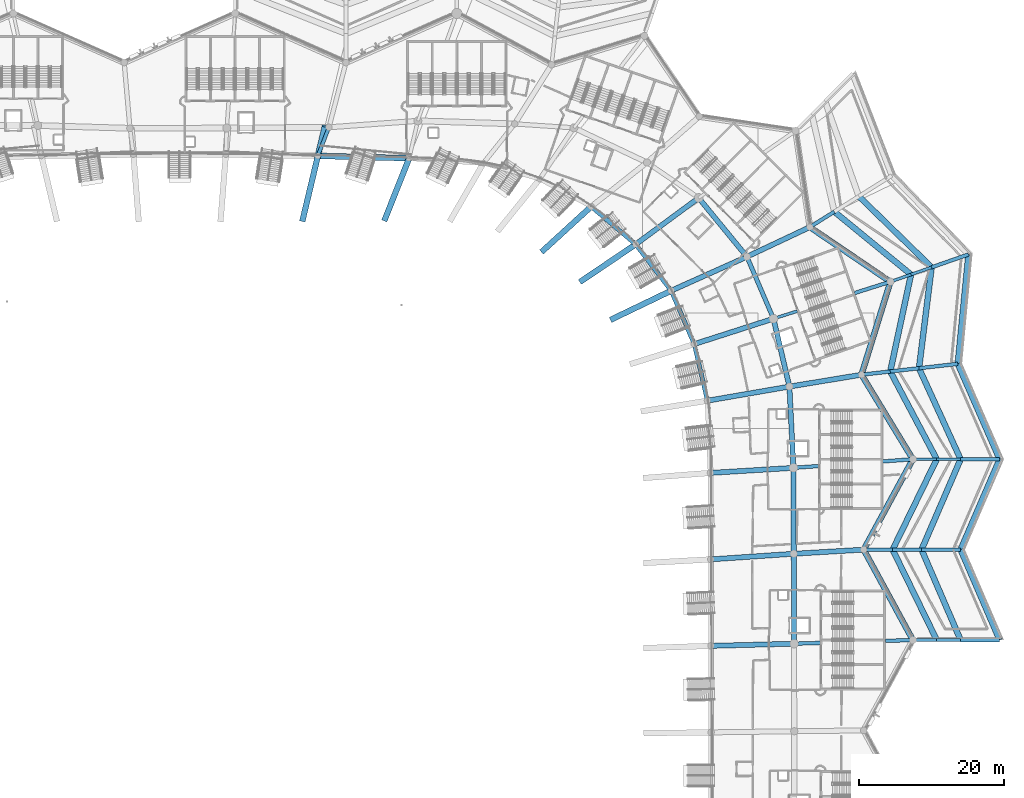
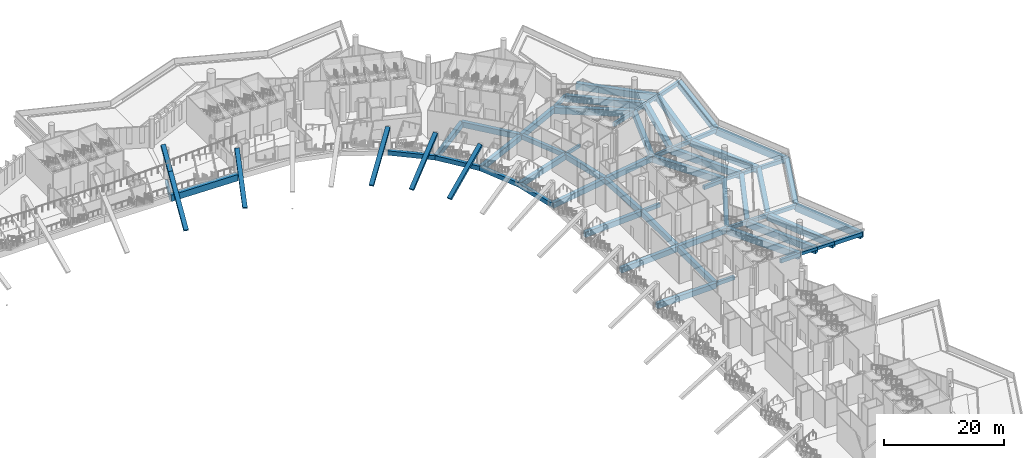
# One storey, part 19 of 173: 69 beams.
"""IFC4 building model written with IfcOpenShell, lengths in metres."""

from ifc_helpers import new_model, si_unit, direction, frame, origin, origin_2d, place, context, subcontext, project, spatial, rectangle, extrude, material, material_profile, profile_set, type_object, element, save


model = new_model("IFC4")

# Units and contexts
model_context = context("Model", 3, precision=1e-05, world=origin(), true_north=direction((0.0, 1.0)))
body_context = subcontext(model_context, "Body", "Model", "MODEL_VIEW")
ifc_project = project(units=[si_unit("LENGTHUNIT", "METRE"), si_unit("AREAUNIT", "SQUARE_METRE"), si_unit("VOLUMEUNIT", "CUBIC_METRE"), si_unit("PLANEANGLEUNIT", "RADIAN"), si_unit("MASSUNIT", "GRAM", prefix="KILO")], contexts=[model_context])

# Site, building, storey
site_placement = place(None, origin())
site = spatial("IfcSite", under=ifc_project, at=site_placement, CompositionType="ELEMENT")
building_placement = place(site_placement, origin())
building = spatial("IfcBuilding", under=site, at=building_placement, Name="Meseta Stadium", CompositionType="ELEMENT")
storey_placement = place(building_placement, frame((0.0, 0.0, 18.0)))
storey = spatial("IfcBuildingStorey", under=building, at=storey_placement, Name="L03", CompositionType="ELEMENT", Elevation=18.0)

# Beams
ifc_material_1 = material(Name="Concrete C40/50", Category="concrete")
ifc_material_profile_1 = material_profile(ifc_material_1, rectangle(XDim=0.39990234375, YDim=0.60009765625, at=origin_2d()), Name="RC 400x600")
ifc_profile_set_1 = profile_set([ifc_material_profile_1], Name="Concrete C40/50")
beam_type_1 = type_object("IfcBeamType", Name="RC beam 400x600", PredefinedType="BEAM", material=ifc_profile_set_1)
beam_1_placement = place(storey_placement, frame((82.119873046875, 63.191162109375, -0.64990234375), z_axis=(0.953578389502, 0.301144907105, 0.0), x_axis=(-0.301144907105, 0.953578389502, 0.0)))
element("IfcBeam", 1, at=beam_1_placement, inside=storey, type_object=beam_type_1, Name="L03 radial beam frame 10 line P to R", PredefinedType="BEAM", context=body_context, shape_type="SweptSolid", body=[
    extrude(rectangle(XDim=0.39990234375, YDim=0.60009765625, at=origin_2d()), origin(), (0.0, 0.0, 1.0), 3.451904296875),
])
for number, where, z_axis, x_axis, name in (
    (2, (101.39990234375, 18.75, -0.699951171875), (1.0, 0.0, 0.0), (0.0, 1.0, 0.0), "L03 radial beam frame 6 line R to M"),
    (3, (104.699951171875, 18.75, -0.699951171875), (1.0, 0.0, 0.0), (0.0, 1.0, 0.0), "L03 radial beam frame 6 line M to Q"),
    (4, (101.39990234375, 43.75, -0.699951171875), (1.0, 0.0, 0.0), (0.0, 1.0, 0.0), "L03 radial beam frame 8 line R to M"),
    (5, (104.699951171875, 43.75, -0.699951171875), (1.0, 0.0, 0.0), (0.0, 1.0, 0.0), "L03 radial beam frame 8 line M to Q"),
):
    element("IfcBeam", number, at=place(storey_placement, frame(where, z_axis=z_axis, x_axis=x_axis)), inside=storey, type_object=beam_type_1, Name=name, PredefinedType="BEAM", context=body_context, shape_type="SweptSolid", body=[
        extrude(rectangle(XDim=0.39990234375, YDim=0.60009765625, at=origin_2d()), origin(), (0.0, 0.0, 1.0), 3.300048828125),
    ])
beam_2_placement = place(storey_placement, frame((98.291015625, 68.297607421875, -0.699951171875), z_axis=(0.943904999317, 0.33021712897, 0.0), x_axis=(-0.33021712897, 0.943904999317, 0.0)))
element("IfcBeam", 6, at=beam_2_placement, inside=storey, type_object=beam_type_1, Name="L03 radial beam frame 10 line R to M", PredefinedType="BEAM", context=body_context, shape_type="SweptSolid", body=[
    extrude(rectangle(XDim=0.39990234375, YDim=0.60009765625, at=origin_2d()), origin(), (0.0, 0.0, 1.0), 3.018798828125),
])
beam_3_placement = place(storey_placement, frame((101.140380859375, 69.29443359375, -0.699951171875), z_axis=(0.943888610281, 0.330263972274, 0.0), x_axis=(-0.330263972274, 0.943888610281, 0.0)))
element("IfcBeam", 7, at=beam_3_placement, inside=storey, type_object=beam_type_1, Name="L03 radial beam frame 10 line M to Q", PredefinedType="BEAM", context=body_context, shape_type="SweptSolid", body=[
    extrude(rectangle(XDim=0.39990234375, YDim=0.60009765625, at=origin_2d()), origin(), (0.0, 0.0, 1.0), 3.01904296875),
])
ifc_material_2 = material(Name="Concrete C40/50", Category="concrete")
ifc_material_profile_2 = material_profile(ifc_material_2, rectangle(XDim=0.5, YDim=0.75, at=origin_2d()), Name="RC 500x750")
ifc_profile_set_2 = profile_set([ifc_material_profile_2], Name="Concrete C40/50")
beam_type_2 = type_object("IfcBeamType", Name="RC beam 500x750", PredefinedType="BEAM", material=ifc_profile_set_2)
beam_4_placement = place(storey_placement, frame((84.978515625, 18.24365234375, -0.72509765625), z_axis=(0.999525783299, 0.030792994672, 0.0), x_axis=(-0.030792994672, 0.999525783299, 0.0)))
element("IfcBeam", 8, at=beam_4_placement, inside=storey, type_object=beam_type_2, Name="L03 radial beam frame 6 line P to R", PredefinedType="BEAM", context=body_context, shape_type="SweptSolid", body=[
    extrude(rectangle(XDim=0.5, YDim=0.75, at=origin_2d()), origin(), (0.0, 0.0, 1.0), 3.623291015625),
])
beam_5_placement = place(storey_placement, frame((97.60009765625, 18.6328125, -0.72509765625), z_axis=(0.99952477381, 0.030825744759, 0.0), x_axis=(-0.030825744759, 0.99952477381, 0.0)))
element("IfcBeam", 9, at=beam_5_placement, inside=storey, type_object=beam_type_2, Name="L03 radial beam frame 6 line P to R", PredefinedType="BEAM", context=body_context, shape_type="SweptSolid", body=[
    extrude(rectangle(XDim=0.5, YDim=0.75, at=origin_2d()), origin(), (0.0, 0.0, 1.0), 3.801513671875),
])
beam_6_placement = place(storey_placement, frame((84.884033203125, 42.5615234375, -0.72509765625), z_axis=(0.997422358581, 0.071754014547, 0.0), x_axis=(-0.071754014547, 0.997422358581, 0.0)))
element("IfcBeam", 10, at=beam_6_placement, inside=storey, type_object=beam_type_2, Name="L03 radial beam frame 8 line P to R", PredefinedType="BEAM", context=body_context, shape_type="SweptSolid", body=[
    extrude(rectangle(XDim=0.5, YDim=0.75, at=origin_2d()), origin(), (0.0, 0.0, 1.0), 3.52490234375),
])
beam_7_placement = place(storey_placement, frame((97.199951171875, 43.44775390625, -0.72509765625), z_axis=(0.997420591967, 0.071778567276, 0.0), x_axis=(-0.071778567276, 0.997420591967, 0.0)))
element("IfcBeam", 11, at=beam_7_placement, inside=storey, type_object=beam_type_2, Name="L03 radial beam frame 8 line P to R", PredefinedType="BEAM", context=body_context, shape_type="SweptSolid", body=[
    extrude(rectangle(XDim=0.5, YDim=0.75, at=origin_2d()), origin(), (0.0, 0.0, 1.0), 4.210693359375),
])
beam_8_placement = place(storey_placement, frame((93.330078125, 66.73095703125, -0.72509765625), z_axis=(0.953580537384, 0.301138105728, 0.0), x_axis=(-0.301138105728, 0.953580537384, 0.0)))
element("IfcBeam", 12, at=beam_8_placement, inside=storey, type_object=beam_type_2, Name="L03 radial beam frame 10 line P to R", PredefinedType="BEAM", context=body_context, shape_type="SweptSolid", body=[
    extrude(rectangle(XDim=0.5, YDim=0.75, at=origin_2d()), origin(), (0.0, 0.0, 1.0), 5.202392578125),
])
beam_9_placement = place(storey_placement, frame((19.11865234375, 85.6982421875, -0.72509765625), z_axis=(0.360763299369, 0.932657408606, 0.0), x_axis=(-0.932657408606, 0.360763299369, 0.0)))
element("IfcBeam", 13, at=beam_9_placement, inside=storey, type_object=beam_type_2, Name="L03 radial beam frame 17 line E to P", PredefinedType="BEAM", context=body_context, shape_type="SweptSolid", body=[
    extrude(rectangle(XDim=0.5, YDim=0.75, at=origin_2d()), origin(), (0.0, 0.0, 1.0), 4.243896484375),
])
beam_10_placement = place(storey_placement, frame((108.0, 18.75, -0.77490234375), z_axis=(1.0, 0.0, 0.0), x_axis=(0.0, 1.0, 0.0)))
element("IfcBeam", 14, at=beam_10_placement, inside=storey, type_object=beam_type_2, Name="L03 radial beam frame 6 line Q to O", PredefinedType="BEAM", context=body_context, shape_type="SweptSolid", body=[
    extrude(rectangle(XDim=0.5, YDim=0.75, at=origin_2d()), origin(), (0.0, 0.0, 1.0), 5.39990234375),
])
for number, where, z_axis, x_axis, name in (
    (15, (94.60009765625, 31.25, -0.77490234375), (1.0, 0.0, 0.0), (0.0, 1.0, 0.0), "L03 radial beam frame 7 line R to M"),
    (16, (98.60009765625, 31.25, -0.77490234375), (1.0, 0.0, 0.0), (0.0, 1.0, 0.0), "L03 radial beam frame 7 line M to Q"),
):
    element("IfcBeam", number, at=place(storey_placement, frame(where, z_axis=z_axis, x_axis=x_axis)), inside=storey, type_object=beam_type_2, Name=name, PredefinedType="BEAM", context=body_context, shape_type="SweptSolid", body=[
        extrude(rectangle(XDim=0.5, YDim=0.75, at=origin_2d()), origin(), (0.0, 0.0, 1.0), 4.0),
    ])
for number, where, z_axis, x_axis, name in (
    (17, (102.60009765625, 31.25, -0.77490234375), (1.0, 0.0, 0.0), (0.0, 1.0, 0.0), "L03 radial beam frame 7 line Q to O"),
    (18, (108.0, 43.75, -0.77490234375), (1.0, 0.0, 0.0), (0.0, 1.0, 0.0), "L03 radial beam frame 8 line Q to O"),
):
    element("IfcBeam", number, at=place(storey_placement, frame(where, z_axis=z_axis, x_axis=x_axis)), inside=storey, type_object=beam_type_2, Name=name, PredefinedType="BEAM", context=body_context, shape_type="SweptSolid", body=[
        extrude(rectangle(XDim=0.5, YDim=0.75, at=origin_2d()), origin(), (0.0, 0.0, 1.0), 5.39990234375),
    ])
for number, where, z_axis, x_axis, name in (
    (19, (94.29443359375, 55.44140625, -0.77490234375), (0.993708325891, 0.111998942203, 0.0), (-0.111998942203, 0.993708325891, 0.0), "L03 radial beam frame 9 line R to M"),
    (20, (98.269287109375, 55.889404296875, -0.77490234375), (0.993715116939, 0.111938672346, 0.0), (-0.111938672346, 0.993715116939, 0.0), "L03 radial beam frame 9 line M to Q"),
):
    element("IfcBeam", number, at=place(storey_placement, frame(where, z_axis=z_axis, x_axis=x_axis)), inside=storey, type_object=beam_type_2, Name=name, PredefinedType="BEAM", context=body_context, shape_type="SweptSolid", body=[
        extrude(rectangle(XDim=0.5, YDim=0.75, at=origin_2d()), origin(), (0.0, 0.0, 1.0), 4.0),
    ])
for number, where, z_axis, x_axis, name in (
    (21, (102.244140625, 56.337158203125, -0.77490234375), (0.993709385305, 0.111989542172, 0.0), (-0.111989542172, 0.993709385305, 0.0), "L03 radial beam frame 9 line Q to O"),
    (22, (103.989990234375, 70.29150390625, -0.77490234375), (0.943871747737, 0.330312161181, 0.0), (-0.330312161181, 0.943871747737, 0.0), "L03 radial beam frame 10 line Q to O"),
):
    element("IfcBeam", number, at=place(storey_placement, frame(where, z_axis=z_axis, x_axis=x_axis)), inside=storey, type_object=beam_type_2, Name=name, PredefinedType="BEAM", context=body_context, shape_type="SweptSolid", body=[
        extrude(rectangle(XDim=0.5, YDim=0.75, at=origin_2d()), origin(), (0.0, 0.0, 1.0), 5.39990234375),
    ])
beam_11_placement = place(storey_placement, frame((87.15087890625, 75.856689453125, -0.77490234375), z_axis=(0.846706472046, 0.532060288122, 0.0), x_axis=(-0.532060288122, 0.846706472046, 0.0)))
element("IfcBeam", 23, at=beam_11_placement, inside=storey, type_object=beam_type_2, Name="L03 radial beam frame 11 line R to M", PredefinedType="BEAM", context=body_context, shape_type="SweptSolid", body=[
    extrude(rectangle(XDim=0.5, YDim=0.75, at=origin_2d()), origin(), (0.0, 0.0, 1.0), 3.999755859375),
])
ifc_material_3 = material(Name="Concrete C40/50", Category="concrete")
ifc_material_profile_3 = material_profile(ifc_material_3, rectangle(XDim=0.60009765625, YDim=0.89990234375, at=origin_2d()), Name="RC 600x900")
ifc_profile_set_3 = profile_set([ifc_material_profile_3], Name="Concrete C40/50")
beam_type_3 = type_object("IfcBeamType", Name="RC beam 600x900", PredefinedType="BEAM", material=ifc_profile_set_3)
beam_12_placement = place(storey_placement, frame((72.9921875, 51.84716796875, -0.800048828125), z_axis=(-0.226697740265, 0.973965160855, 0.0), x_axis=(-0.973965160855, -0.226697740265, 0.0)))
element("IfcBeam", 24, at=beam_12_placement, inside=storey, type_object=beam_type_3, Name="L03 ring beam frame 9 line E", PredefinedType="BEAM", context=body_context, shape_type="SweptSolid", body=[
    extrude(rectangle(XDim=0.60009765625, YDim=0.89990234375, at=origin_2d()), origin(), (0.0, 0.0, 1.0), 8.039306640625),
])
beam_13_placement = place(storey_placement, frame((71.169677734375, 59.67724609375, -0.800048828125), z_axis=(-0.397502661884, 0.91760102103, 0.0), x_axis=(-0.91760102103, -0.397502661884, 0.0)))
element("IfcBeam", 25, at=beam_13_placement, inside=storey, type_object=beam_type_3, Name="L03 ring beam frame 10 line E", PredefinedType="BEAM", context=body_context, shape_type="SweptSolid", body=[
    extrude(rectangle(XDim=0.60009765625, YDim=0.89990234375, at=origin_2d()), origin(), (0.0, 0.0, 1.0), 8.04345703125),
])
beam_14_placement = place(storey_placement, frame((82.119873046875, 63.191162109375, -0.800048828125), z_axis=(-0.394270200779, 0.918994564063, 0.0), x_axis=(-0.918994564063, -0.394270200779, 0.0)))
element("IfcBeam", 26, at=beam_14_placement, inside=storey, type_object=beam_type_3, Name="L03 ring beam frame 10 line P", PredefinedType="BEAM", context=body_context, shape_type="SweptSolid", body=[
    extrude(rectangle(XDim=0.60009765625, YDim=0.89990234375, at=origin_2d()), origin(), (0.0, 0.0, 1.0), 9.31982421875),
])
beam_15_placement = place(storey_placement, frame((67.972412109375, 67.057861328125, -0.800048828125), z_axis=(-0.607521948786, 0.794302890428, 0.0), x_axis=(-0.794302890428, -0.607521948786, 0.0)))
element("IfcBeam", 27, at=beam_15_placement, inside=storey, type_object=beam_type_3, Name="L03 ring beam frame 11 line E", PredefinedType="BEAM", context=body_context, shape_type="SweptSolid", body=[
    extrude(rectangle(XDim=0.60009765625, YDim=0.89990234375, at=origin_2d()), origin(), (0.0, 0.0, 1.0), 8.072509765625),
])
beam_16_placement = place(storey_placement, frame((63.068115234375, 73.469970703125, -0.800048828125), z_axis=(-0.762201166724, 0.647340236231, 0.0), x_axis=(-0.647340236231, -0.762201166724, 0.0)))
element("IfcBeam", 28, at=beam_16_placement, inside=storey, type_object=beam_type_3, Name="L03 ring beam frame 12 line E", PredefinedType="BEAM", context=body_context, shape_type="SweptSolid", body=[
    extrude(rectangle(XDim=0.60009765625, YDim=0.89990234375, at=origin_2d()), origin(), (0.0, 0.0, 1.0), 8.07275390625),
])
ifc_material_4 = material(Name="Concrete C40/50", Category="concrete")
ifc_material_profile_4 = material_profile(ifc_material_4, rectangle(XDim=0.699951171875, YDim=1.10009765625, at=origin_2d()), Name="RC 700x1100")
ifc_profile_set_4 = profile_set([ifc_material_profile_4], Name="Concrete C40/50")
beam_type_4 = type_object("IfcBeamType", Name="RC beam 700x1100", PredefinedType="BEAM", material=ifc_profile_set_4)
beam_17_placement = place(storey_placement, frame((84.978515625, 18.24365234375, -0.89990234375), z_axis=(-0.004279001378, 0.999990845032, 0.0), x_axis=(-0.999990845032, -0.004279001378, 0.0)))
element("IfcBeam", 29, at=beam_17_placement, inside=storey, type_object=beam_type_4, Name="L03 ring beam frame 6 line P", PredefinedType="BEAM", context=body_context, shape_type="SweptSolid", body=[
    extrude(rectangle(XDim=0.699951171875, YDim=1.10009765625, at=origin_2d()), origin(), (0.0, 0.0, 1.0), 12.43798828125),
])
beam_18_placement = place(storey_placement, frame((84.92529296875, 30.681640625, -0.89990234375), z_axis=(-0.003473057557, 0.999993968917, 0.0), x_axis=(-0.999993968917, -0.003473057557, 0.0)))
element("IfcBeam", 30, at=beam_18_placement, inside=storey, type_object=beam_type_4, Name="L03 ring beam frame 7 line P", PredefinedType="BEAM", context=body_context, shape_type="SweptSolid", body=[
    extrude(rectangle(XDim=0.699951171875, YDim=1.10009765625, at=origin_2d()), origin(), (0.0, 0.0, 1.0), 11.8798828125),
])
beam_19_placement = place(storey_placement, frame((84.884033203125, 42.5615234375, -0.89990234375), z_axis=(-0.049657379323, 0.998766311346, 0.0), x_axis=(-0.998766311346, -0.049657379323, 0.0)))
element("IfcBeam", 31, at=beam_19_placement, inside=storey, type_object=beam_type_4, Name="L03 ring beam frame 8 line P", PredefinedType="BEAM", context=body_context, shape_type="SweptSolid", body=[
    extrude(rectangle(XDim=0.699951171875, YDim=1.10009765625, at=origin_2d()), origin(), (0.0, 0.0, 1.0), 11.25390625),
])
beam_20_placement = place(storey_placement, frame((84.3251953125, 53.801513671875, -0.89990234375), z_axis=(-0.228645688533, 0.973509706739, 0.0), x_axis=(-0.973509706739, -0.228645688533, 0.0)))
element("IfcBeam", 32, at=beam_20_placement, inside=storey, type_object=beam_type_4, Name="L03 ring beam frame 9 line P", PredefinedType="BEAM", context=body_context, shape_type="SweptSolid", body=[
    extrude(rectangle(XDim=0.699951171875, YDim=1.10009765625, at=origin_2d()), origin(), (0.0, 0.0, 1.0), 9.645263671875),
])
beam_21_placement = place(storey_placement, frame((78.4453125, 71.756103515625, -0.89990234375), z_axis=(-0.634137323649, 0.773220443829, 0.0), x_axis=(-0.773220443829, -0.634137323649, 0.0)))
element("IfcBeam", 33, at=beam_21_placement, inside=storey, type_object=beam_type_4, Name="L03 ring beam frame 11 line P", PredefinedType="BEAM", context=body_context, shape_type="SweptSolid", body=[
    extrude(rectangle(XDim=0.699951171875, YDim=1.10009765625, at=origin_2d()), origin(), (0.0, 0.0, 1.0), 10.51806640625),
])
beam_22_placement = place(storey_placement, frame((73.482421875, 17.943603515625, -0.89990234375), z_axis=(0.999659567147, 0.026091182637, 0.0), x_axis=(-0.026091182637, 0.999659567147, 0.0)))
element("IfcBeam", 34, at=beam_22_placement, inside=storey, type_object=beam_type_4, Name="L03 radial beam frame 6 line E to P", PredefinedType="BEAM", context=body_context, shape_type="SweptSolid", body=[
    extrude(rectangle(XDim=0.699951171875, YDim=1.10009765625, at=origin_2d()), origin(), (0.0, 0.0, 1.0), 11.5),
])
beam_23_placement = place(storey_placement, frame((73.451416015625, 29.904052734375, -0.89990234375), z_axis=(0.997711474421, 0.067615189183, 0.0), x_axis=(-0.067615189183, 0.997711474421, 0.0)))
element("IfcBeam", 35, at=beam_23_placement, inside=storey, type_object=beam_type_4, Name="L03 radial beam frame 7 line E to P", PredefinedType="BEAM", context=body_context, shape_type="SweptSolid", body=[
    extrude(rectangle(XDim=0.699951171875, YDim=1.10009765625, at=origin_2d()), origin(), (0.0, 0.0, 1.0), 11.500244140625),
])
beam_24_placement = place(storey_placement, frame((84.92529296875, 30.681640625, -0.89990234375), z_axis=(0.998278887273, 0.058645231896, 0.0), x_axis=(-0.058645231896, 0.998278887273, 0.0)))
element("IfcBeam", 36, at=beam_24_placement, inside=storey, type_object=beam_type_4, Name="L03 radial beam frame 7 line P to R", PredefinedType="BEAM", context=body_context, shape_type="SweptSolid", body=[
    extrude(rectangle(XDim=0.699951171875, YDim=1.10009765625, at=origin_2d()), origin(), (0.0, 0.0, 1.0), 9.69140625),
])
beam_25_placement = place(storey_placement, frame((73.40478515625, 41.8623046875, -0.89990234375), z_axis=(0.998150037989, 0.060798862349, 0.0), x_axis=(-0.060798862349, 0.998150037989, 0.0)))
element("IfcBeam", 37, at=beam_25_placement, inside=storey, type_object=beam_type_4, Name="L03 radial beam frame 8 line E to P", PredefinedType="BEAM", context=body_context, shape_type="SweptSolid", body=[
    extrude(rectangle(XDim=0.699951171875, YDim=1.10009765625, at=origin_2d()), origin(), (0.0, 0.0, 1.0), 11.50048828125),
])
beam_26_placement = place(storey_placement, frame((72.9921875, 51.84716796875, -0.89990234375), z_axis=(0.985454599583, 0.169938907145, 0.0), x_axis=(-0.169938907145, 0.985454599583, 0.0)))
element("IfcBeam", 38, at=beam_26_placement, inside=storey, type_object=beam_type_4, Name="L03 radial beam frame 9 line E to P", PredefinedType="BEAM", context=body_context, shape_type="SweptSolid", body=[
    extrude(rectangle(XDim=0.699951171875, YDim=1.10009765625, at=origin_2d()), origin(), (0.0, 0.0, 1.0), 11.500244140625),
])
beam_27_placement = place(storey_placement, frame((84.3251953125, 53.801513671875, -0.89990234375), z_axis=(0.986739169318, 0.162313929576, 0.0), x_axis=(-0.162313929576, 0.986739169318, 0.0)))
element("IfcBeam", 39, at=beam_27_placement, inside=storey, type_object=beam_type_4, Name="L03 radial beam frame 9 line P to R", PredefinedType="BEAM", context=body_context, shape_type="SweptSolid", body=[
    extrude(rectangle(XDim=0.699951171875, YDim=1.10009765625, at=origin_2d()), origin(), (0.0, 0.0, 1.0), 10.103271484375),
])
beam_28_placement = place(storey_placement, frame((71.169677734375, 59.67724609375, -0.89990234375), z_axis=(0.952175117954, 0.305552850992, 0.0), x_axis=(-0.305552850992, 0.952175117954, 0.0)))
element("IfcBeam", 40, at=beam_28_placement, inside=storey, type_object=beam_type_4, Name="L03 radial beam frame 10 line E to P", PredefinedType="BEAM", context=body_context, shape_type="SweptSolid", body=[
    extrude(rectangle(XDim=0.699951171875, YDim=1.10009765625, at=origin_2d()), origin(), (0.0, 0.0, 1.0), 11.500244140625),
])
beam_29_placement = place(storey_placement, frame((67.972412109375, 67.057861328125, -0.89990234375), z_axis=(0.912395676752, 0.409309331734, 0.0), x_axis=(-0.409309331734, 0.912395676752, 0.0)))
element("IfcBeam", 41, at=beam_29_placement, inside=storey, type_object=beam_type_4, Name="L03 radial beam frame 11 line E to P", PredefinedType="BEAM", context=body_context, shape_type="SweptSolid", body=[
    extrude(rectangle(XDim=0.699951171875, YDim=1.10009765625, at=origin_2d()), origin(), (0.0, 0.0, 1.0), 11.478515625),
])
beam_30_placement = place(storey_placement, frame((78.4453125, 71.756103515625, -0.89990234375), z_axis=(0.904664550747, 0.426124454382, 0.0), x_axis=(-0.426124454382, 0.904664550747, 0.0)))
element("IfcBeam", 42, at=beam_30_placement, inside=storey, type_object=beam_type_4, Name="L03 radial beam frame 11 line P to R", PredefinedType="BEAM", context=body_context, shape_type="SweptSolid", body=[
    extrude(rectangle(XDim=0.699951171875, YDim=1.10009765625, at=origin_2d()), origin(), (0.0, 0.0, 1.0), 9.623046875),
])
beam_31_placement = place(storey_placement, frame((63.068115234375, 73.469970703125, -0.89990234375), z_axis=(0.804920808124, 0.593382248344, 0.0), x_axis=(-0.593382248344, 0.804920808124, 0.0)))
element("IfcBeam", 43, at=beam_31_placement, inside=storey, type_object=beam_type_4, Name="L03 radial beam frame 12 line E to P", PredefinedType="BEAM", context=body_context, shape_type="SweptSolid", body=[
    extrude(rectangle(XDim=0.699951171875, YDim=1.10009765625, at=origin_2d()), origin(), (0.0, 0.0, 1.0), 10.817626953125),
])
ifc_material_5 = material(Name="Concrete C40/50", Category="concrete")
ifc_material_profile_5 = material_profile(ifc_material_5, rectangle(XDim=0.800048828125, YDim=1.300048828125, at=origin_2d()), Name="RC 800x1300")
ifc_profile_set_5 = profile_set([ifc_material_profile_5], Name="Concrete C40/50")
beam_type_5 = type_object("IfcBeamType", Name="RC beam 800x1300", PredefinedType="BEAM", material=ifc_profile_set_5)
for number, where, z_axis, x_axis, name in (
    (44, (101.39990234375, 18.75, -1.0), (-0.47785649891, 0.878437912689, 0.0), (-0.878437912689, -0.47785649891, 0.0), "L03 ring beam frame 6 line R"),
    (45, (94.60009765625, 31.25, -1.0), (0.47785649891, 0.878437912689, 0.0), (-0.878437912689, 0.47785649891, 0.0), "L03 ring beam frame 7 line R"),
):
    element("IfcBeam", number, at=place(storey_placement, frame(where, z_axis=z_axis, x_axis=x_axis)), inside=storey, type_object=beam_type_5, Name=name, PredefinedType="BEAM", context=body_context, shape_type="SweptSolid", body=[
        extrude(rectangle(XDim=0.800048828125, YDim=1.300048828125, at=origin_2d()), origin(), (0.0, 0.0, 1.0), 14.229736328125),
    ])
beam_32_placement = place(storey_placement, frame((101.39990234375, 43.75, -1.0), z_axis=(-0.519358064651, 0.854556727598, 0.0), x_axis=(-0.854556727598, -0.519358064651, 0.0)))
element("IfcBeam", 46, at=beam_32_placement, inside=storey, type_object=beam_type_5, Name="L03 ring beam frame 8 line R", PredefinedType="BEAM", context=body_context, shape_type="SweptSolid", body=[
    extrude(rectangle(XDim=0.800048828125, YDim=1.300048828125, at=origin_2d()), origin(), (0.0, 0.0, 1.0), 13.68115234375),
])
beam_33_placement = place(storey_placement, frame((94.29443359375, 55.44140625, -1.0), z_axis=(0.296854913016, 0.954922594045, 0.0), x_axis=(-0.954922594045, 0.296854913016, 0.0)))
element("IfcBeam", 47, at=beam_33_placement, inside=storey, type_object=beam_type_5, Name="L03 ring beam frame 9 line R", PredefinedType="BEAM", context=body_context, shape_type="SweptSolid", body=[
    extrude(rectangle(XDim=0.800048828125, YDim=1.300048828125, at=origin_2d()), origin(), (0.0, 0.0, 1.0), 13.463134765625),
])
beam_34_placement = place(storey_placement, frame((98.291015625, 68.297607421875, -1.0), z_axis=(-0.827486005705, 0.561486340317, 0.0), x_axis=(-0.561486340317, -0.827486005705, 0.0)))
element("IfcBeam", 48, at=beam_34_placement, inside=storey, type_object=beam_type_5, Name="L03 ring beam frame 10 line R", PredefinedType="BEAM", context=body_context, shape_type="SweptSolid", body=[
    extrude(rectangle(XDim=0.800048828125, YDim=1.300048828125, at=origin_2d()), origin(), (0.0, 0.0, 1.0), 13.462646484375),
])
beam_35_placement = place(storey_placement, frame((31.73681640625, 85.376708984375, -1.0), z_axis=(-0.999675497622, 0.02547350496, 0.0), x_axis=(-0.02547350496, -0.999675497622, 0.0)))
element("IfcBeam", 49, at=beam_35_placement, inside=storey, type_object=beam_type_5, Name="L03 ring beam frame 16 line E", PredefinedType="BEAM", context=body_context, shape_type="SweptSolid", body=[
    extrude(rectangle(XDim=0.800048828125, YDim=1.300048828125, at=origin_2d()), origin(), (0.0, 0.0, 1.0), 12.622314453125),
])
beam_36_placement = place(storey_placement, frame((104.699951171875, 18.75, -1.050048828125), z_axis=(-0.438556770405, 0.898703487882, 0.0), x_axis=(-0.898703487882, -0.438556770405, 0.0)))
element("IfcBeam", 50, at=beam_36_placement, inside=storey, type_object=beam_type_5, Name="L03 ring beam frame 6 line M", PredefinedType="BEAM", context=body_context, shape_type="SweptSolid", body=[
    extrude(rectangle(XDim=0.800048828125, YDim=1.300048828125, at=origin_2d()), origin(), (0.0, 0.0, 1.0), 13.908935546875),
])
for number, where, z_axis, x_axis, name in (
    (51, (108.0, 18.75, -1.050048828125), (-0.396570645327, 0.918004206562, 0.0), (-0.918004206562, -0.396570645327, 0.0), "L03 ring beam frame 6 line Q"),
    (52, (113.39990234375, 18.75, -1.050048828125), (-0.396570645327, 0.918004206562, 0.0), (-0.918004206562, -0.396570645327, 0.0), "L03 ring beam frame 6 line O"),
):
    element("IfcBeam", number, at=place(storey_placement, frame(where, z_axis=z_axis, x_axis=x_axis)), inside=storey, type_object=beam_type_5, Name=name, PredefinedType="BEAM", context=body_context, shape_type="SweptSolid", body=[
        extrude(rectangle(XDim=0.800048828125, YDim=1.300048828125, at=origin_2d()), origin(), (0.0, 0.0, 1.0), 13.616455078125),
    ])
beam_37_placement = place(storey_placement, frame((98.60009765625, 31.25, -1.050048828125), z_axis=(0.438556770405, 0.898703487882, 0.0), x_axis=(-0.898703487882, 0.438556770405, 0.0)))
element("IfcBeam", 53, at=beam_37_placement, inside=storey, type_object=beam_type_5, Name="L03 ring beam frame 7 line M", PredefinedType="BEAM", context=body_context, shape_type="SweptSolid", body=[
    extrude(rectangle(XDim=0.800048828125, YDim=1.300048828125, at=origin_2d()), origin(), (0.0, 0.0, 1.0), 13.908935546875),
])
for number, where, z_axis, x_axis, name in (
    (54, (102.60009765625, 31.25, -1.050048828125), (0.396570645327, 0.918004206562, 0.0), (-0.918004206562, 0.396570645327, 0.0), "L03 ring beam frame 7 line Q"),
    (55, (108.0, 31.25, -1.050048828125), (0.396570645327, 0.918004206562, 0.0), (-0.918004206562, 0.396570645327, 0.0), "L03 ring beam frame 7 line O"),
):
    element("IfcBeam", number, at=place(storey_placement, frame(where, z_axis=z_axis, x_axis=x_axis)), inside=storey, type_object=beam_type_5, Name=name, PredefinedType="BEAM", context=body_context, shape_type="SweptSolid", body=[
        extrude(rectangle(XDim=0.800048828125, YDim=1.300048828125, at=origin_2d()), origin(), (0.0, 0.0, 1.0), 13.616455078125),
    ])
beam_38_placement = place(storey_placement, frame((104.699951171875, 43.75, -1.050048828125), z_axis=(-0.468110622218, 0.88366987352, 0.0), x_axis=(-0.88366987352, -0.468110622218, 0.0)))
element("IfcBeam", 56, at=beam_38_placement, inside=storey, type_object=beam_type_5, Name="L03 ring beam frame 8 line M", PredefinedType="BEAM", context=body_context, shape_type="SweptSolid", body=[
    extrude(rectangle(XDim=0.800048828125, YDim=1.300048828125, at=origin_2d()), origin(), (0.0, 0.0, 1.0), 13.737548828125),
])
beam_39_placement = place(storey_placement, frame((108.0, 43.75, -1.050048828125), z_axis=(-0.415863139592, 0.909427209363, 0.0), x_axis=(-0.909427209363, -0.415863139592, 0.0)))
element("IfcBeam", 57, at=beam_39_placement, inside=storey, type_object=beam_type_5, Name="L03 ring beam frame 8 line Q", PredefinedType="BEAM", context=body_context, shape_type="SweptSolid", body=[
    extrude(rectangle(XDim=0.800048828125, YDim=1.300048828125, at=origin_2d()), origin(), (0.0, 0.0, 1.0), 13.8408203125),
])
beam_40_placement = place(storey_placement, frame((113.39990234375, 43.75, -1.050048828125), z_axis=(-0.401887137806, 0.915689209539, 0.0), x_axis=(-0.915689209539, -0.401887137806, 0.0)))
element("IfcBeam", 58, at=beam_40_placement, inside=storey, type_object=beam_type_5, Name="L03 ring beam frame 8 line O", PredefinedType="BEAM", context=body_context, shape_type="SweptSolid", body=[
    extrude(rectangle(XDim=0.800048828125, YDim=1.300048828125, at=origin_2d()), origin(), (0.0, 0.0, 1.0), 14.406494140625),
])
beam_41_placement = place(storey_placement, frame((98.269287109375, 55.889404296875, -1.050048828125), z_axis=(0.209430575028, 0.977823518966, 0.0), x_axis=(-0.977823518966, 0.209430575028, 0.0)))
element("IfcBeam", 59, at=beam_41_placement, inside=storey, type_object=beam_type_5, Name="L03 ring beam frame 9 line M", PredefinedType="BEAM", context=body_context, shape_type="SweptSolid", body=[
    extrude(rectangle(XDim=0.800048828125, YDim=1.300048828125, at=origin_2d()), origin(), (0.0, 0.0, 1.0), 13.708984375),
])
beam_42_placement = place(storey_placement, frame((102.244140625, 56.337158203125, -1.050048828125), z_axis=(0.124143703283, 0.99226424955, 0.0), x_axis=(-0.99226424955, 0.124143703283, 0.0)))
element("IfcBeam", 60, at=beam_42_placement, inside=storey, type_object=beam_type_5, Name="L03 ring beam frame 9 line Q", PredefinedType="BEAM", context=body_context, shape_type="SweptSolid", body=[
    extrude(rectangle(XDim=0.800048828125, YDim=1.300048828125, at=origin_2d()), origin(), (0.0, 0.0, 1.0), 14.063232421875),
])
beam_43_placement = place(storey_placement, frame((107.610107421875, 56.94189453125, -1.050048828125), z_axis=(0.097125179524, 0.99527217358, 0.0), x_axis=(-0.99527217358, 0.097125179524, 0.0)))
element("IfcBeam", 61, at=beam_43_placement, inside=storey, type_object=beam_type_5, Name="L03 ring beam frame 9 line O", PredefinedType="BEAM", context=body_context, shape_type="SweptSolid", body=[
    extrude(rectangle(XDim=0.800048828125, YDim=1.300048828125, at=origin_2d()), origin(), (0.0, 0.0, 1.0), 15.205078125),
])
beam_44_placement = place(storey_placement, frame((101.140380859375, 69.29443359375, -1.050048828125), z_axis=(-0.77340555921, 0.633911540345, 0.0), x_axis=(-0.633911540345, -0.77340555921, 0.0)))
element("IfcBeam", 62, at=beam_44_placement, inside=storey, type_object=beam_type_5, Name="L03 ring beam frame 10 line M", PredefinedType="BEAM", context=body_context, shape_type="SweptSolid", body=[
    extrude(rectangle(XDim=0.800048828125, YDim=1.300048828125, at=origin_2d()), origin(), (0.0, 0.0, 1.0), 13.709228515625),
])
beam_45_placement = place(storey_placement, frame((103.989990234375, 70.29150390625, -1.050048828125), z_axis=(-0.715725013536, 0.698382205529, 0.0), x_axis=(-0.698382205529, -0.715725013536, 0.0)))
element("IfcBeam", 63, at=beam_45_placement, inside=storey, type_object=beam_type_5, Name="L03 ring beam frame 10 line Q", PredefinedType="BEAM", context=body_context, shape_type="SweptSolid", body=[
    extrude(rectangle(XDim=0.800048828125, YDim=1.300048828125, at=origin_2d()), origin(), (0.0, 0.0, 1.0), 14.063232421875),
])
ifc_material_6 = material(Name="Concrete C40/50", Category="concrete")
ifc_material_profile_6 = material_profile(ifc_material_6, rectangle(XDim=0.800048828125, YDim=0.449951171875, at=origin_2d()), Name="RC 800x450")
ifc_profile_set_6 = profile_set([ifc_material_profile_6], Name="Concrete C40/50")
beam_type_6 = type_object("IfcBeamType", Name="RC raker upper rear 800x450", PredefinedType="USERDEFINED", material=ifc_profile_set_6)
beam_46_placement = place(storey_placement, frame((59.681396484375, 63.070556640625, -1.796875), z_axis=(0.764771201297, 0.367792793274, 0.529011787093), x_axis=(-0.433403864315, 0.901199806034, 0.0)))
element("IfcBeam", 64, at=beam_46_placement, inside=storey, type_object=beam_type_6, Name="Raker upper rear frame 11 upper tier", ObjectType="RAKER", PredefinedType="USERDEFINED", context=body_context, shape_type="SweptSolid", body=[
    extrude(rectangle(XDim=0.800048828125, YDim=0.449951171875, at=origin_2d()), origin(), (0.0, 0.0, 1.0), 10.841064453125),
])
beam_47_placement = place(storey_placement, frame((55.443115234375, 68.322509765625, -1.62890625), z_axis=(0.703353322068, 0.474817541063, 0.529001329898), x_axis=(-0.559516608619, 0.828819138702, 0.0)))
element("IfcBeam", 65, at=beam_47_placement, inside=storey, type_object=beam_type_6, Name="Raker upper rear frame 12 upper tier", ObjectType="RAKER", PredefinedType="USERDEFINED", context=body_context, shape_type="SweptSolid", body=[
    extrude(rectangle(XDim=0.800048828125, YDim=0.449951171875, at=origin_2d()), origin(), (0.0, 0.0, 1.0), 10.8408203125),
])
beam_48_placement = place(storey_placement, frame((50.12890625, 72.483642578125, -1.469482421875), z_axis=(0.625966379814, 0.573021820923, 0.528972668566), x_axis=(-0.675224583095, 0.737612203251, 0.0)))
element("IfcBeam", 66, at=beam_48_placement, inside=storey, type_object=beam_type_6, Name="Raker upper rear frame 13 upper tier", ObjectType="RAKER", PredefinedType="USERDEFINED", context=body_context, shape_type="SweptSolid", body=[
    extrude(rectangle(XDim=0.800048828125, YDim=0.449951171875, at=origin_2d()), origin(), (0.0, 0.0, 1.0), 10.841064453125),
])
beam_49_placement = place(storey_placement, frame((28.343505859375, 76.825439453125, -1.033203125), z_axis=(0.312995776054, 0.788761065694, 0.529045957756), x_axis=(-0.929492588518, 0.368840789351, 0.0)))
element("IfcBeam", 67, at=beam_49_placement, inside=storey, type_object=beam_type_6, Name="Raker upper rear frame 16 upper tier", ObjectType="RAKER", PredefinedType="USERDEFINED", context=body_context, shape_type="SweptSolid", body=[
    extrude(rectangle(XDim=0.800048828125, YDim=0.449951171875, at=origin_2d()), origin(), (0.0, 0.0, 1.0), 10.84130859375),
])
beam_50_placement = place(storey_placement, frame((16.98779296875, 76.748291015625, -1.56396484375), z_axis=(0.196569020816, 0.825621417746, 0.528876067349), x_axis=(-0.972808207748, 0.231612156284, 0.0)))
element("IfcBeam", 68, at=beam_50_placement, inside=storey, type_object=beam_type_6, Name="Raker upper rear frame 17 upper tier", ObjectType="RAKER", PredefinedType="USERDEFINED", context=body_context, shape_type="SweptSolid", body=[
    extrude(rectangle(XDim=0.800048828125, YDim=0.449951171875, at=origin_2d()), origin(), (0.0, 0.0, 1.0), 10.84033203125),
])
beam_51_placement = place(storey_placement, frame((19.11865234375, 85.6982421875, 4.169189453125), z_axis=(0.196566934135, 0.825610593672, 0.528893739821), x_axis=(-0.972808077559, 0.231612703099, 0.0)))
element("IfcBeam", 69, at=beam_51_placement, inside=storey, type_object=beam_type_6, Name="Raker upper rear frame 17 upper tier", ObjectType="RAKER", PredefinedType="USERDEFINED", context=body_context, shape_type="SweptSolid", body=[
    extrude(rectangle(XDim=0.800048828125, YDim=0.449951171875, at=origin_2d()), origin(), (0.0, 0.0, 1.0), 4.970458984375),
])

save(model, "model.ifc")
